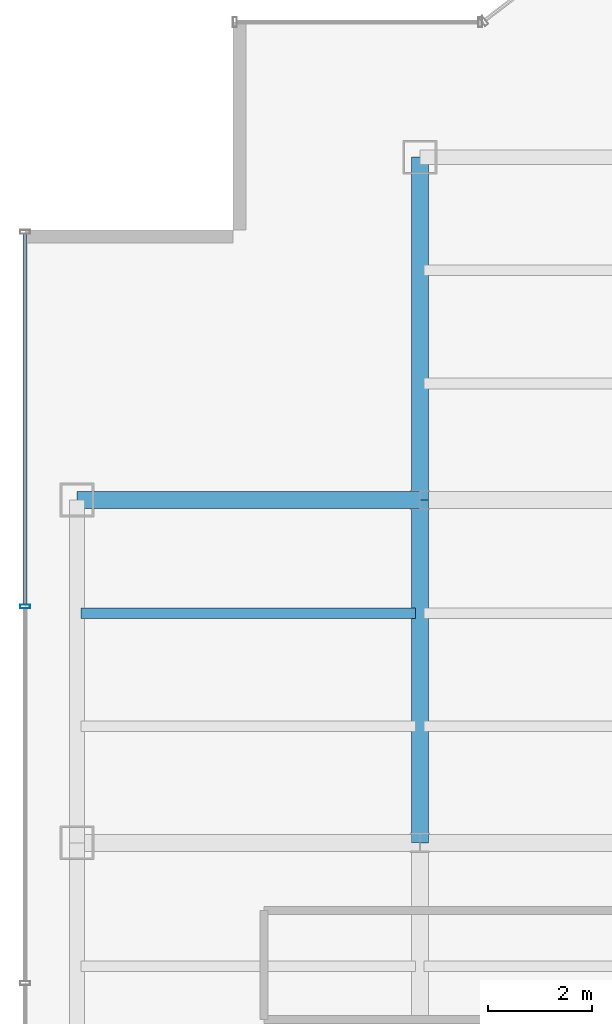
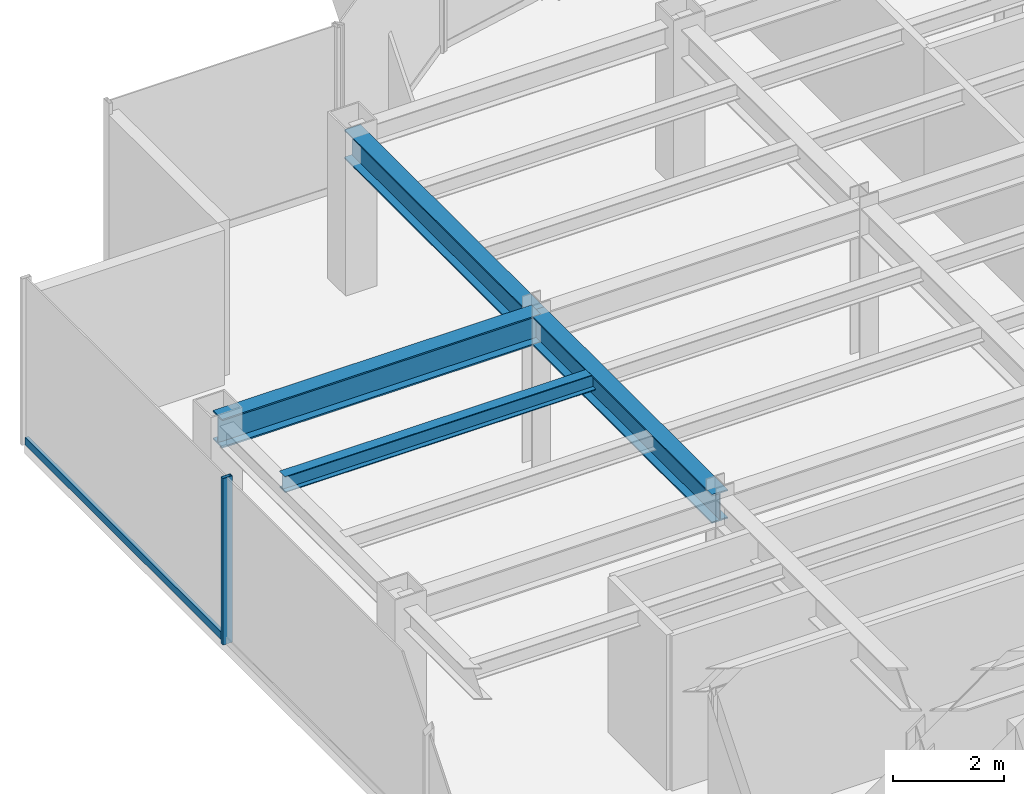
# One storey, part 7 of 25: 4 beams, 2 members, 1 element without a shape of its own.
"""IFC4 building model written with IfcOpenShell, lengths in metres."""

from ifc_helpers import new_model, si_unit, derived_unit, direction, frame, origin, origin_2d, place, context, subcontext, project, spatial, hollow_rectangle, i_section, extrude, source, transform, mapped, material, material_profile, profile_set, type_object, element, aggregate, save


model = new_model("IFC4")

# Units and contexts
model_context = context("Model", 3, precision=1e-05, world=origin(), true_north=direction((0.0, 1.0)))
body_context = subcontext(model_context, "Body", "Model", "MODEL_VIEW")
ifc_project = project(units=[si_unit("LENGTHUNIT", "METRE"), si_unit("AREAUNIT", "SQUARE_METRE"), si_unit("VOLUMEUNIT", "CUBIC_METRE"), si_unit("PLANEANGLEUNIT", "RADIAN"), si_unit("MASSUNIT", "GRAM", prefix="KILO"), derived_unit("THERMALTRANSMITTANCEUNIT", [(si_unit("POWERUNIT", "WATT"), 1), (si_unit("LENGTHUNIT", "METRE"), -2), (si_unit("THERMODYNAMICTEMPERATUREUNIT", "KELVIN"), -1)])], contexts=[model_context])

# Site, building, storey
site_placement = place(None, origin())
site = spatial("IfcSite", under=ifc_project, at=site_placement, CompositionType="ELEMENT")
building_placement = place(site_placement, origin())
building = spatial("IfcBuilding", under=site, at=building_placement, Name="Skarnbrae Concourse Arena and Tower", CompositionType="ELEMENT")
storey_placement = place(building_placement, frame((0.0, 0.0, 177.10009765625)))
storey = spatial("IfcBuildingStorey", under=building, at=storey_placement, Name="L45", CompositionType="ELEMENT", Elevation=177.10009765625)

# Beams
ifc_material_1 = material(Name="Steel CSA G40.21 350W", Category="steel")
ifc_material_profile_1 = material_profile(ifc_material_1, i_section(OverallWidth=0.3291015625, OverallDepth=0.635009765625, WebThickness=0.017822265625, FlangeThickness=0.031005859375, at=origin_2d()), Name="W610X241")
ifc_profile_set_1 = profile_set([ifc_material_profile_1], Name="Steel CSA G40.21 350W")
beam_type_1 = type_object("IfcBeamType", Name="BM-GIRD-W610X241", PredefinedType="BEAM", material=ifc_profile_set_1)
shared_shape_1 = source(origin(), body_context, "Body", "SweptSolid", [
    extrude(i_section(OverallWidth=0.3291015625, OverallDepth=0.635009765625, WebThickness=0.017822265625, FlangeThickness=0.031005859375, at=origin_2d()), origin(), (0.0, 0.0, 1.0), 6.60009765625),
])
for number, where, z_axis, x_axis, name in (
    (1, (1.0, 27.800048828125, 3.08251953125), (1.0, 0.0, 0.0), (0.0, 1.0, 0.0), "L45 Primary E-W girder Y27.8-1"),
    (2, (7.60009765625, 21.199951171875, 3.08251953125), (0.0, 1.0, 0.0), (-1.0, 0.0, 0.0), "L45 Primary N-S girder X7.6-2"),
):
    element("IfcBeam", number, at=place(storey_placement, frame(where, z_axis=z_axis, x_axis=x_axis)), inside=storey, type_object=beam_type_1, Name=name, PredefinedType="BEAM", context=body_context, shape_type="MappedRepresentation", body=[
        mapped(shared_shape_1, transform((0.0, 0.0, 0.0))),
    ])
shared_shape_2 = source(origin(), body_context, "Body", "SweptSolid", [
    extrude(i_section(OverallWidth=0.3291015625, OverallDepth=0.635009765625, WebThickness=0.017822265625, FlangeThickness=0.031005859375, at=origin_2d()), origin(), (0.0, 0.0, 1.0), 6.599853515625),
])
beam_1_placement = place(storey_placement, frame((7.60009765625, 27.800048828125, 3.08251953125), z_axis=(0.0, 1.0, 0.0), x_axis=(-1.0, 0.0, 0.0)))
element("IfcBeam", 3, at=beam_1_placement, inside=storey, type_object=beam_type_1, Name="L45 Primary N-S girder X7.6-3", PredefinedType="BEAM", context=body_context, shape_type="MappedRepresentation", body=[
    mapped(shared_shape_2, transform((0.0, 0.0, 0.0))),
])
ifc_material_profile_2 = material_profile(ifc_material_1, i_section(OverallWidth=0.205078125, OverallDepth=0.35400390625, WebThickness=0.009521484375, FlangeThickness=0.016845703125, at=origin_2d()), Name="W360X79")
ifc_profile_set_2 = profile_set([ifc_material_profile_2], Name="Steel CSA G40.21 350W")
beam_type_2 = type_object("IfcBeamType", Name="BM-JOIST-W360X79", PredefinedType="JOIST", material=ifc_profile_set_2)
shared_shape_3 = source(origin(), body_context, "Body", "SweptSolid", [
    extrude(i_section(OverallWidth=0.205078125, OverallDepth=0.35400390625, WebThickness=0.009521484375, FlangeThickness=0.016845703125, at=origin_2d()), origin(), (0.0, 0.0, 1.0), 6.43994140625),
])
beam_2_placement = place(storey_placement, frame((1.080078125, 25.6220703125, 3.222900390625), z_axis=(1.0, 0.0, 0.0), x_axis=(0.0, 1.0, 0.0)))
element("IfcBeam", 4, at=beam_2_placement, inside=storey, type_object=beam_type_2, Name="L45 Secondary floor joist 2.2.1", PredefinedType="JOIST", context=body_context, shape_type="MappedRepresentation", body=[
    mapped(shared_shape_3, transform((0.0, 0.0, 0.0))),
])

# Curtain wall, members
ifc_material_2 = material(Name="Bronze anodised aluminium 6063-T6", Category="aluminium")
curtain_wall_type = type_object("IfcCurtainWallType", Name="CW-SYS-04-MIDZONE", PredefinedType="USERDEFINED", material=ifc_material_2)
curtain_wall_placement = place(storey_placement, origin())
curtain_wall = element("IfcCurtainWall", 5, at=curtain_wall_placement, inside=storey, type_object=curtain_wall_type, Name="L45 Unitised curtain wall CW-L45-E18", ObjectType="UNITISED CURTAIN WALL", PredefinedType="USERDEFINED")
ifc_material_profile_3 = material_profile(ifc_material_2, hollow_rectangle(XDim=0.074951171875, YDim=0.195068359375, WallThickness=0.00439453125, at=origin_2d()), Name="ALU-MULL-75X195")
ifc_profile_set_3 = profile_set([ifc_material_profile_3], Name="Bronze anodised aluminium 6063-T6")
member_type_1 = type_object("IfcMemberType", Name="CWM-CW-04", PredefinedType="MULLION", material=ifc_profile_set_3)
shared_shape_4 = source(origin(), body_context, "Body", "SweptSolid", [
    extrude(hollow_rectangle(XDim=0.074951171875, YDim=0.195068359375, WallThickness=0.00439453125, at=origin_2d()), origin(), (0.0, 0.0, 1.0), 3.64990234375),
])
member_1_placement = place(storey_placement, frame((0.0, 25.75, 0.0), z_axis=(0.0, 0.0, 1.0), x_axis=(0.0, -1.0, 0.0)))
member_1 = element("IfcMember", 6, at=member_1_placement, type_object=member_type_1, Name="CW-L45-E18 Mullion 2", PredefinedType="MULLION", context=body_context, shape_type="MappedRepresentation", body=[
    mapped(shared_shape_4, transform((0.0, 0.0, 0.0))),
])
ifc_material_profile_4 = material_profile(ifc_material_2, hollow_rectangle(XDim=0.074951171875, YDim=0.159912109375, WallThickness=0.00439453125, at=origin_2d()), Name="ALU-TRAN-75X160")
ifc_profile_set_4 = profile_set([ifc_material_profile_4], Name="Bronze anodised aluminium 6063-T6")
member_type_2 = type_object("IfcMemberType", Name="CWT-CW-04", PredefinedType="USERDEFINED", material=ifc_profile_set_4)
shared_shape_5 = source(origin(), body_context, "Body", "SweptSolid", [
    extrude(hollow_rectangle(XDim=0.074951171875, YDim=0.159912109375, WallThickness=0.00439453125, at=origin_2d()), origin(), (0.0, 0.0, 1.0), 7.137451171875),
])
member_2_placement = place(storey_placement, frame((0.0, 32.925048828125, 0.079833984375), z_axis=(0.0, -1.0, 0.0), x_axis=(1.0, 0.0, 0.0)))
member_2 = element("IfcMember", 7, at=member_2_placement, type_object=member_type_2, Name="CW-L45-E18 Transom 1", ObjectType="TRANSOM", PredefinedType="USERDEFINED", context=body_context, shape_type="MappedRepresentation", body=[
    mapped(shared_shape_5, transform((0.0, 0.0, 0.0))),
])
aggregate(curtain_wall, [member_1, member_2])

save(model, "model.ifc")
